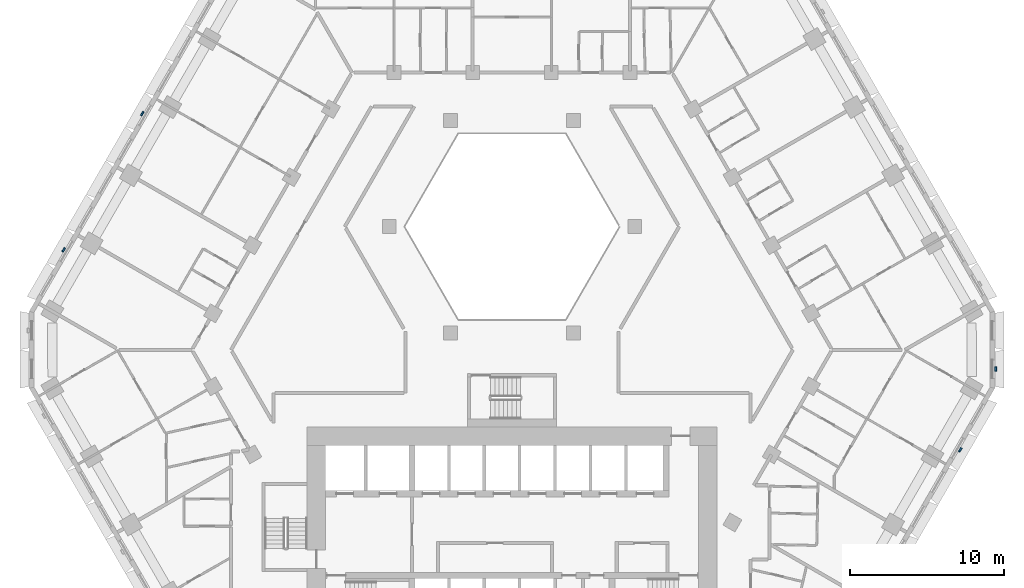
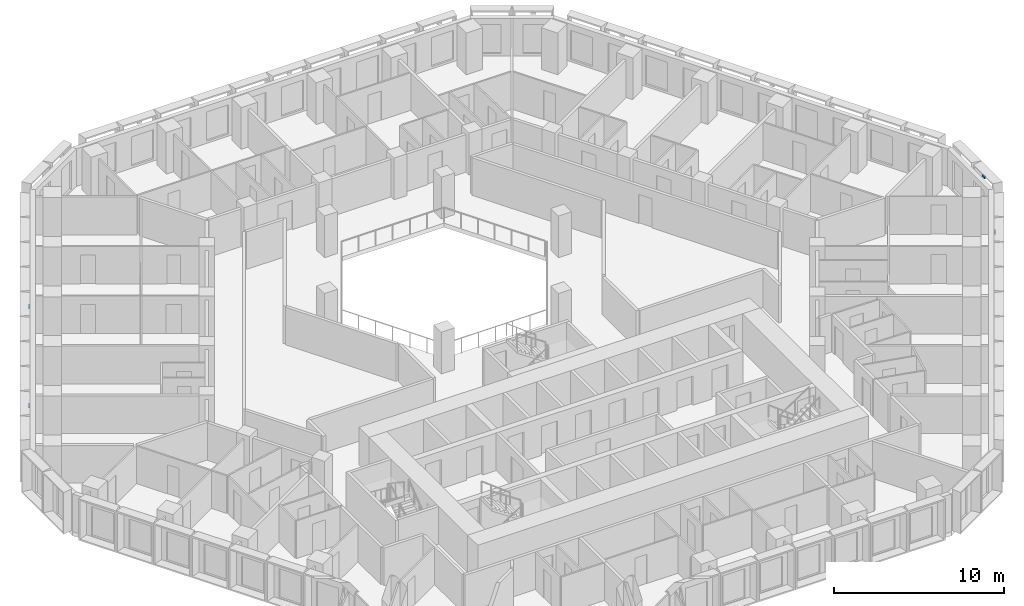
# One storey, part 14 of 21: 4 discrete accessories.
"""IFC4 building model written with IfcOpenShell, lengths in metres."""

import ifcopenshell
import ifcopenshell.guid

model = None  # the IFC model being written
_history = None  # IfcOwnerHistory: only IFC2X3 demands one
_inside = {}  # id of a spatial element -> (the spatial element, [elements in it])
_under = {}  # id of a project, library or spatial element -> (it, [spatial elements below it])
_declared = {}  # id of a project -> (the project, [libraries it declares])
_typed = {}  # id of a type object -> (the type object, [elements of that type])
_made_of = {}  # id of a material, layer set ... -> (it, [elements and type objects made of it])


def new_model(schema):
    """Start an empty IFC model of exactly this schema.

    Asked for "IFC4X3", IfcOpenShell would pick the latest addendum, in which some entities
    have other attributes; the version numbers below select the first issue.
    IFC2X3 requires an IfcOwnerHistory on every rooted entity: one is made here for all.
    """
    global model, _history
    if schema == "IFC4X3":
        model = ifcopenshell.file(schema_version=(4, 3, 0, 0))
    else:
        model = ifcopenshell.file(schema=schema)
    _inside.clear()
    _under.clear()
    _declared.clear()
    _typed.clear()
    _made_of.clear()
    _history = None
    if model.schema == "IFC2X3":
        org = make("IfcOrganization", Name="unknown")
        user = make(
            "IfcPersonAndOrganization",
            ThePerson=make("IfcPerson", FamilyName="unknown"),
            TheOrganization=org,
        )
        app = make(
            "IfcApplication",
            ApplicationDeveloper=org,
            Version="unknown",
            ApplicationFullName="unknown",
            ApplicationIdentifier="unknown",
        )
        _history = make(
            "IfcOwnerHistory",
            OwningUser=user,
            OwningApplication=app,
            ChangeAction="ADDED",
            CreationDate=0,
        )
    return model


def make(cls, **values):
    """One entity of the class cls with the attributes given. An attribute that is None is left unset."""
    return model.create_entity(
        cls, **{name: value for name, value in values.items() if value is not None}
    )


def rooted(cls, **values):
    """An entity with a GlobalId (a new one), such as an element, a storey or a relation."""
    return make(cls, GlobalId=ifcopenshell.guid.new(), OwnerHistory=_history, **values)


def si_unit(unit_type, name, prefix=None):
    """IfcSIUnit, for example si_unit("LENGTHUNIT", "METRE", prefix="MILLI")."""
    return make("IfcSIUnit", UnitType=unit_type, Prefix=prefix, Name=name)


def assignment(units):
    """IfcUnitAssignment: the units of a project."""
    return None if units is None else make("IfcUnitAssignment", Units=units)


def point(xyz):
    """IfcCartesianPoint."""
    return None if xyz is None else make("IfcCartesianPoint", Coordinates=xyz)


def direction(xyz):
    """IfcDirection."""
    return None if xyz is None else make("IfcDirection", DirectionRatios=xyz)


def frame(location, z_axis=None, x_axis=None):
    """IfcAxis2Placement3D, a coordinate frame: its origin and axes. An axis left out is left unset."""
    return make(
        "IfcAxis2Placement3D",
        Location=point(location),
        Axis=direction(z_axis),
        RefDirection=direction(x_axis),
    )


def origin():
    """The frame at (0, 0, 0) with its axes left unset."""
    return frame((0.0, 0.0, 0.0))


def place(relative_to, where):
    """IfcLocalPlacement: puts the frame where relative to a parent placement (None: the world)."""
    return make(
        "IfcLocalPlacement", PlacementRelTo=relative_to, RelativePlacement=where
    )


def context(
    kind, dimensions, precision=None, world=None, true_north=None, identifier=None
):
    """IfcGeometricRepresentationContext, for example the 3D "Model" context."""
    return make(
        "IfcGeometricRepresentationContext",
        ContextIdentifier=identifier,
        ContextType=kind,
        CoordinateSpaceDimension=dimensions,
        Precision=precision,
        WorldCoordinateSystem=world,
        TrueNorth=true_north,
    )


def subcontext(parent, identifier, kind, view, scale=None):
    """IfcGeometricRepresentationSubContext, for example "Body" below "Model"."""
    return make(
        "IfcGeometricRepresentationSubContext",
        ContextIdentifier=identifier,
        ContextType=kind,
        ParentContext=parent,
        TargetScale=scale,
        TargetView=view,
    )


def project(units=None, contexts=None):
    """IfcProject with its units and contexts."""
    return rooted(
        "IfcProject",
        Name="project",
        RepresentationContexts=contexts,
        UnitsInContext=assignment(units),
    )


def spatial(cls, under=None, at=None, **own):
    """A site, building, storey or space (cls), placed at a placement, below another one or the project."""
    s = rooted(cls, ObjectPlacement=at, **own)
    if under is not None:
        _under.setdefault(under.id(), (under, []))[1].append(s)
    return s


def polyline(points):
    """IfcPolyline through the points."""
    return make("IfcPolyline", Points=[point(p) for p in points])


def outline(outer, holes=None, kind="AREA"):
    """IfcArbitraryClosedProfileDef: a profile drawn as a closed curve; with holes, ...WithVoids."""
    if holes is None:
        return make("IfcArbitraryClosedProfileDef", ProfileType=kind, OuterCurve=outer)
    return make(
        "IfcArbitraryProfileDefWithVoids",
        ProfileType=kind,
        OuterCurve=outer,
        InnerCurves=holes,
    )


def extrude(swept, where, along, depth):
    """IfcExtrudedAreaSolid: the profile swept, set in the frame where, extruded along a direction by depth."""
    return make(
        "IfcExtrudedAreaSolid",
        SweptArea=swept,
        Position=where,
        ExtrudedDirection=direction(along),
        Depth=depth,
    )


def shape(context_of_items, identifier, shape_type, items):
    """IfcShapeRepresentation: the items that make up one representation, for example the "Body"."""
    return make(
        "IfcShapeRepresentation",
        ContextOfItems=context_of_items,
        RepresentationIdentifier=identifier,
        RepresentationType=shape_type,
        Items=items,
    )


def source(mapping_origin, context_of_items, identifier, shape_type, items):
    """IfcRepresentationMap: a shape defined once, which mapped items show again and again."""
    return make(
        "IfcRepresentationMap",
        MappingOrigin=mapping_origin,
        MappedRepresentation=shape(context_of_items, identifier, shape_type, items),
    )


def transform(
    local_origin,
    x_axis=None,
    y_axis=None,
    z_axis=None,
    scale=None,
    scale2=None,
    scale3=None,
    uniform=True,
):
    """IfcCartesianTransformationOperator3D, or its non-uniform kind. x_axis, y_axis, z_axis: its Axis1, 2, 3."""
    if uniform:
        return make(
            "IfcCartesianTransformationOperator3D",
            Axis1=direction(x_axis),
            Axis2=direction(y_axis),
            LocalOrigin=point(local_origin),
            Scale=scale,
            Axis3=direction(z_axis),
        )
    return make(
        "IfcCartesianTransformationOperator3DnonUniform",
        Axis1=direction(x_axis),
        Axis2=direction(y_axis),
        LocalOrigin=point(local_origin),
        Scale=scale,
        Axis3=direction(z_axis),
        Scale2=scale2,
        Scale3=scale3,
    )


def mapped(mapping_source, mapping_target):
    """IfcMappedItem: shows the shape of a source again, moved by a transform."""
    return make(
        "IfcMappedItem", MappingSource=mapping_source, MappingTarget=mapping_target
    )


def material(Name=None, Category=None):
    """IfcMaterial."""
    return make("IfcMaterial", Name=Name, Category=Category)


def made_of(thing, what):
    """Note that an element or type object is made of a material, layer set ...; save() writes the relation."""
    if what is not None:
        _made_of.setdefault(what.id(), (what, []))[1].append(thing)
    return thing


def type_object(cls, material=None, **own):
    """A type object (cls), such as IfcWallType, which elements share."""
    return made_of(rooted(cls, **own), material)


def type_shapes(of_type, sources):
    """Give a type object the sources (RepresentationMaps) that its elements show as mapped items."""
    of_type.RepresentationMaps = sources


def element(
    cls,
    number,
    at=None,
    inside=None,
    cuts=None,
    type_object=None,
    material=None,
    context=None,
    identifier="Body",
    shape_type=None,
    held_by="IfcProductDefinitionShape",
    body=None,
    shapes=None,
    **own,
):
    """One element of the class cls, such as IfcWall. Its Tag is "e" and its number.

    at: its placement. inside: the storey or other place that contains it. cuts: it is an
    opening in that element (IfcRelVoidsElement). A single representation is given by context,
    identifier, shape_type and body (its items); several are given by shapes. held_by: the class
    of the entity that holds the representations. save() writes the other relations.
    """
    e = rooted(cls, Tag="e%d" % number, ObjectPlacement=at, **own)
    if body is not None:
        shapes = [shape(context, identifier, shape_type, body)]
    if shapes is not None:
        e.Representation = make(held_by, Representations=shapes)
    if inside is not None:
        _inside.setdefault(inside.id(), (inside, []))[1].append(e)
    if cuts is not None:
        rooted(
            "IfcRelVoidsElement", RelatingBuildingElement=cuts, RelatedOpeningElement=e
        )
    if type_object is not None:
        _typed.setdefault(type_object.id(), (type_object, []))[1].append(e)
    return made_of(e, material)


def aggregate(whole, parts):
    """IfcRelAggregates: a whole, such as a stair, and the parts it consists of."""
    return rooted("IfcRelAggregates", RelatingObject=whole, RelatedObjects=parts)


def save(model, path):
    """Write the relations noted so far, then the file.

    IfcRelAggregates (storeys below a building ...), IfcRelContainedInSpatialStructure (elements
    in a storey), IfcRelDefinesByType, IfcRelAssociatesMaterial and IfcRelDeclares: one each for
    every whole, place, type object, material and project.
    """
    for whole, parts in _under.values():
        aggregate(whole, parts)
    for where, things in _inside.values():
        rooted(
            "IfcRelContainedInSpatialStructure",
            RelatedElements=things,
            RelatingStructure=where,
        )
    for kind, things in _typed.values():
        rooted("IfcRelDefinesByType", RelatedObjects=things, RelatingType=kind)
    for what, things in _made_of.values():
        rooted("IfcRelAssociatesMaterial", RelatedObjects=things, RelatingMaterial=what)
    for by, libraries in _declared.values():
        rooted("IfcRelDeclares", RelatingContext=by, RelatedDefinitions=libraries)
    model.write(path)


model = new_model("IFC4")

# Units and contexts
model_context = context("Model", 3, precision=1e-05, world=origin(), true_north=direction((0.0, 1.0)))
body_context = subcontext(model_context, "Body", "Model", "MODEL_VIEW")
ifc_project = project(units=[si_unit("LENGTHUNIT", "METRE"), si_unit("AREAUNIT", "SQUARE_METRE"), si_unit("VOLUMEUNIT", "CUBIC_METRE"), si_unit("PLANEANGLEUNIT", "RADIAN"), si_unit("MASSUNIT", "GRAM", prefix="KILO")], contexts=[model_context])

# Site, building, storey
site_placement = place(None, origin())
site = spatial("IfcSite", under=ifc_project, at=site_placement, CompositionType="ELEMENT")
building_placement = place(site_placement, origin())
building = spatial("IfcBuilding", under=site, at=building_placement, Name="Beryl Residences", CompositionType="ELEMENT")
storey_placement = place(building_placement, frame((0.0, 0.0, 53.39990234375)))
storey = spatial("IfcBuildingStorey", under=building, at=storey_placement, Name="L16", CompositionType="ELEMENT", Elevation=53.39990234375)

# Discrete accessories
ifc_material = material(Name="Steel S355", Category="steel")
discrete_accessory_type = type_object("IfcDiscreteAccessoryType", Name="BR1 frame bracket 300 x 120 x 150 mm", PredefinedType="BRACKET", material=ifc_material)
shared_shape = source(origin(), body_context, "Body", "SweptSolid", [
    extrude(outline(polyline([(-0.14990234375, 0.0), (0.14990234375, 0.0), (0.14990234375, 0.1201171875), (-0.14990234375, 0.1201171875), (-0.14990234375, 0.0)])), origin(), (0.0, 0.0, 1.0), 0.14990234375),
])
type_shapes(discrete_accessory_type, [shared_shape])
for number, where, z_axis, x_axis, name in (
    (1, (-23.9580078125, 15.303955078125, 2.75), (0.0, 0.0, 1.0), (0.5, 0.866025403784, 0.0), "BR1 bracket L16 NW 5"),
    (2, (-29.06103515625, 6.464111328125, 2.75), (0.0, 0.0, 1.0), (0.5, 0.866025403784, 0.0), "BR1 bracket L16 NW 9"),
    (3, (29.06103515625, -6.464111328125, 2.75), (0.0, 0.0, 1.0), (-0.5, -0.866025403784, 0.0), "BR1 bracket L16 SE 9"),
    (4, (31.35009765625, -1.25, 2.75), (0.0, 0.0, 1.0), (0.0, -1.0, 0.0), "BR1 bracket L16 SE-NE 1"),
):
    element("IfcDiscreteAccessory", number, at=place(storey_placement, frame(where, z_axis=z_axis, x_axis=x_axis)), inside=storey, type_object=discrete_accessory_type, Name=name, PredefinedType="BRACKET", context=body_context, shape_type="MappedRepresentation", body=[
        mapped(shared_shape, transform((0.0, 0.0, 0.0))),
    ])

save(model, "model.ifc")
